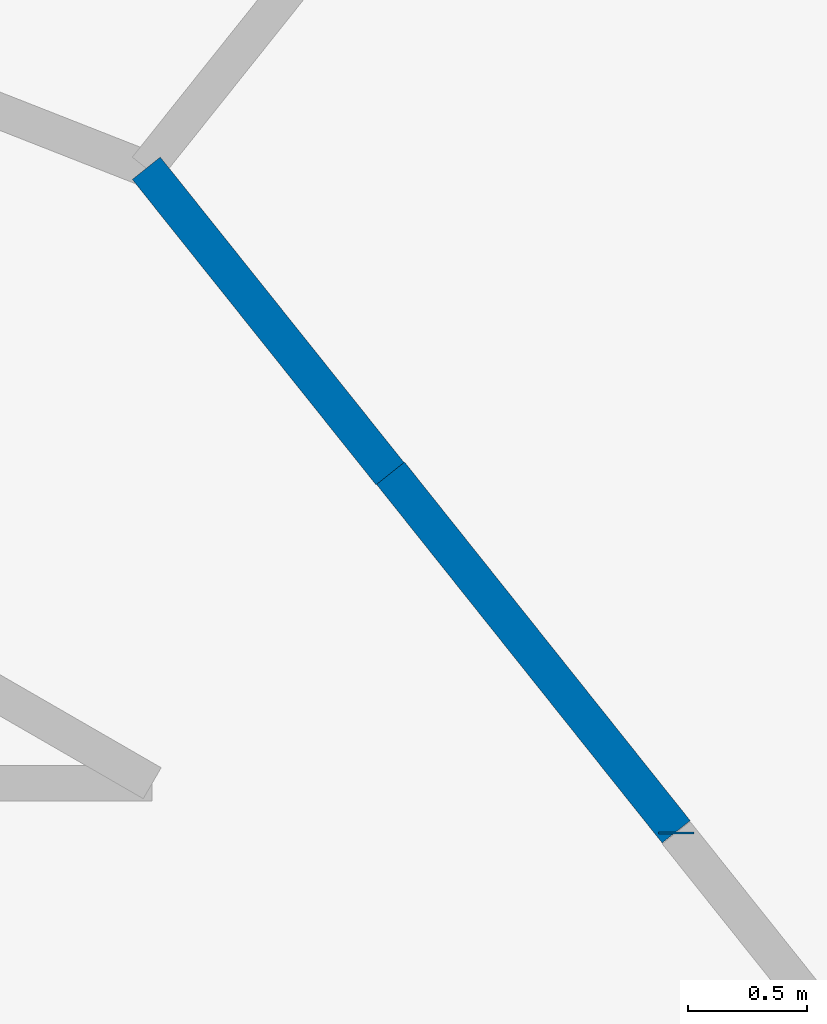
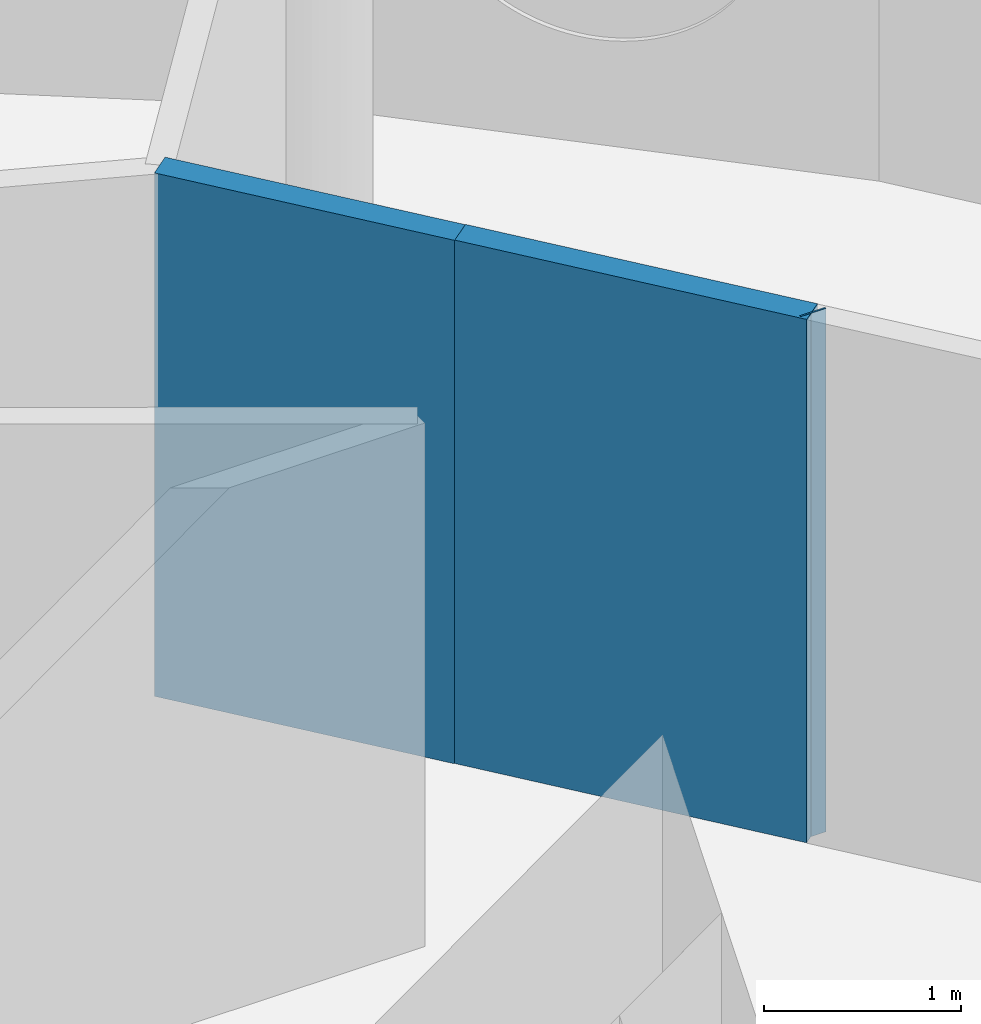
# One storey, part 9 of 13: 3 walls.
"""IFC4 building model written with IfcOpenShell, lengths in metres."""

from ifc_helpers import new_model, si_unit, direction, frame, frame_2d, origin, place, context, subcontext, project, spatial, rectangle, extrude, material, layer, layer_set, type_object, element, save


model = new_model("IFC4")

# Units and contexts
model_context = context("Model", 3, precision=1e-05, world=origin(), true_north=direction((0.0, 1.0)))
body_context = subcontext(model_context, "Body", "Model", "MODEL_VIEW")
ifc_project = project(units=[si_unit("LENGTHUNIT", "METRE"), si_unit("AREAUNIT", "SQUARE_METRE"), si_unit("VOLUMEUNIT", "CUBIC_METRE"), si_unit("PLANEANGLEUNIT", "RADIAN"), si_unit("MASSUNIT", "GRAM", prefix="KILO")], contexts=[model_context])

# Site, building, storey
site_placement = place(None, origin())
site = spatial("IfcSite", under=ifc_project, at=site_placement, CompositionType="ELEMENT")
building_placement = place(site_placement, origin())
building = spatial("IfcBuilding", under=site, at=building_placement, Name="Tracery Tower", CompositionType="ELEMENT")
storey_placement = place(building_placement, frame((0.0, 0.0, 316.199951171875)))
storey = spatial("IfcBuildingStorey", under=building, at=storey_placement, Name="L82", CompositionType="ELEMENT", Elevation=316.199951171875)

# Walls
ifc_material = material(Name="Plasterboard on steel studs", Category="steel")
ifc_layer = layer(ifc_material, 0.14990234375)
ifc_layer_set = layer_set([ifc_layer], Name="Partition 150 corridor wall")
wall_type = type_object("IfcWallType", Name="Partition 150 corridor wall", PredefinedType="PARTITIONING", material=ifc_layer_set)
wall_1_placement = place(storey_placement, frame((10.10107421875, 10.10107421875, 0.0), z_axis=(0.0, 0.0, 1.0), x_axis=(0.623130947784, -0.782117524362, 0.0)))
element("IfcWall", 1, at=wall_1_placement, inside=storey, type_object=wall_type, Name="Corridor wall RC9-004", PredefinedType="PARTITIONING", context=body_context, shape_type="SweptSolid", body=[
    extrude(rectangle(XDim=1.924072265625, YDim=0.14990234375, at=frame_2d((0.9619140625, 0.0))), origin(), (0.0, 0.0, 1.0), 3.25),
])
wall_2_placement = place(storey_placement, frame((11.300048828125, 8.5859375, 0.0), z_axis=(0.0, 0.0, 1.0), x_axis=(0.0, 1.0, 0.0)))
element("IfcWall", 2, at=wall_2_placement, inside=storey, type_object=wall_type, Name="Corridor wall RC9-006", PredefinedType="PARTITIONING", context=body_context, shape_type="SweptSolid", body=[
    extrude(rectangle(XDim=0.01025390625, YDim=0.14990234375, at=frame_2d((0.005126953125, 0.0))), origin(), (0.0, 0.0, 1.0), 3.25),
])
wall_3_placement = place(storey_placement, frame((9.075927734375, 11.381103515625, 0.0), z_axis=(0.0, 0.0, 1.0), x_axis=(0.623805208652, -0.781579849829, 0.0)))
element("IfcWall", 3, at=wall_3_placement, inside=storey, type_object=wall_type, Name="Corridor wall RC9-026", PredefinedType="PARTITIONING", context=body_context, shape_type="SweptSolid", body=[
    extrude(rectangle(XDim=1.64013671875, YDim=0.14990234375, at=frame_2d((0.820068359375, 0.0))), origin(), (0.0, 0.0, 1.0), 3.25),
])

save(model, "model.ifc")
